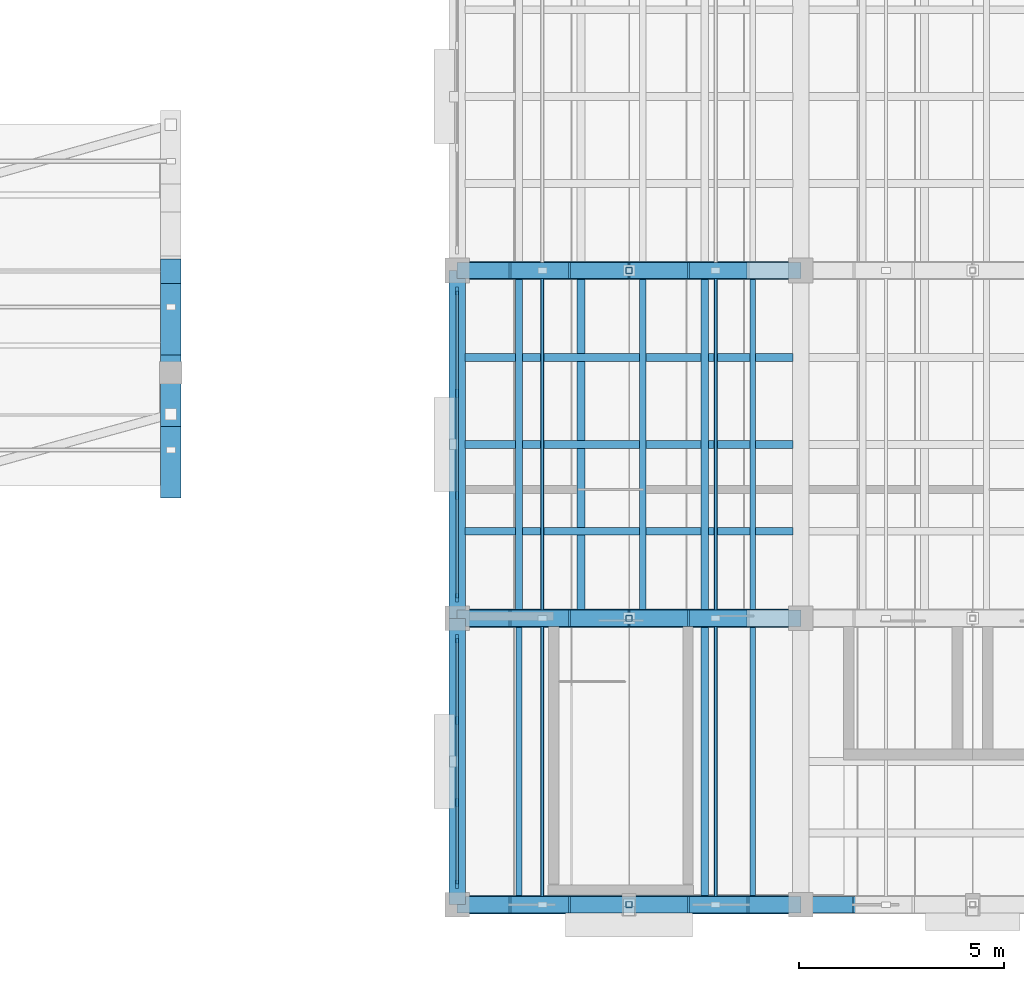
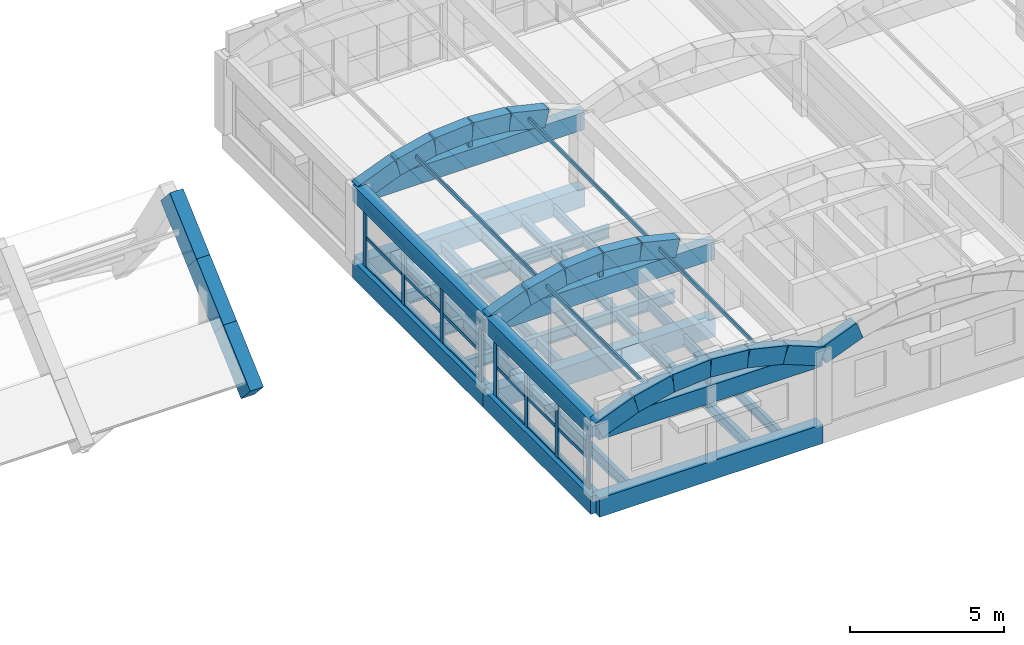
# One storey, part 8 of 40: 41 members, 21 beams, 2 elements without a shape of their own.
"""IFC4 building model written with IfcOpenShell, lengths in metres."""

from ifc_helpers import new_model, si_unit, direction, frame, origin, origin_2d, place, context, subcontext, project, spatial, rectangle, hollow_rectangle, i_section, extrude, material, layer, layer_set, material_profile, profile_set, type_object, element, aggregate, save


model = new_model("IFC4")

# Units and contexts
model_context = context("Model", 3, precision=1e-05, world=origin(), true_north=direction((0.0, 1.0)))
body_context = subcontext(model_context, "Body", "Model", "MODEL_VIEW")
ifc_project = project(units=[si_unit("LENGTHUNIT", "METRE"), si_unit("AREAUNIT", "SQUARE_METRE"), si_unit("VOLUMEUNIT", "CUBIC_METRE"), si_unit("PLANEANGLEUNIT", "RADIAN"), si_unit("MASSUNIT", "GRAM", prefix="KILO")], contexts=[model_context])

# Site, building, storey
site_placement = place(None, origin())
site = spatial("IfcSite", under=ifc_project, at=site_placement, CompositionType="ELEMENT")
building_placement = place(site_placement, origin())
building = spatial("IfcBuilding", under=site, at=building_placement, Name="Trellovar Central Fire Station", CompositionType="ELEMENT")
storey_placement = place(building_placement, frame((0.0, 0.0, 12.75)))
storey = spatial("IfcBuildingStorey", under=building, at=storey_placement, Name="L04", CompositionType="ELEMENT", Elevation=12.75)

# Beams
ifc_material_1 = material(Name="Concrete C40/50", Category="concrete")
ifc_material_profile_1 = material_profile(ifc_material_1, rectangle(XDim=0.449951171875, YDim=0.75, at=origin_2d()), Name="RC450X750")
ifc_profile_set_1 = profile_set([ifc_material_profile_1], Name="Concrete C40/50")
beam_type_1 = type_object("IfcBeamType", Name="BM-G2", PredefinedType="BEAM", material=ifc_profile_set_1)
for number, where, z_axis, x_axis, name in (
    (1, (105.5, 9.0, -0.375), (1.0, 0.0, 0.0), (0.0, 1.0, 0.0), "L04 beam G-2"),
    (2, (105.5, 16.0, -0.375), (1.0, 0.0, 0.0), (0.0, 1.0, 0.0), "L04 beam G-2"),
    (3, (105.5, 24.5, -0.375), (1.0, 0.0, 0.0), (0.0, 1.0, 0.0), "L04 beam G-2"),
):
    element("IfcBeam", number, at=place(storey_placement, frame(where, z_axis=z_axis, x_axis=x_axis)), inside=storey, type_object=beam_type_1, Name=name, PredefinedType="BEAM", context=body_context, shape_type="SweptSolid", body=[
        extrude(rectangle(XDim=0.449951171875, YDim=0.75, at=origin_2d()), origin(), (0.0, 0.0, 1.0), 8.39990234375),
    ])
ifc_material_2 = material(Name="Concrete C40/50", Category="concrete")
ifc_material_profile_2 = material_profile(ifc_material_2, rectangle(XDim=0.39990234375, YDim=0.699951171875, at=origin_2d()), Name="RC400X700")
ifc_profile_set_2 = profile_set([ifc_material_profile_2], Name="Concrete C40/50")
beam_type_2 = type_object("IfcBeamType", Name="BM-G3", PredefinedType="BEAM", material=ifc_profile_set_2)
beam_1_placement = place(storey_placement, frame((105.5, 9.0, -0.35009765625), z_axis=(0.0, 1.0, 0.0), x_axis=(-1.0, 0.0, 0.0)))
element("IfcBeam", 4, at=beam_1_placement, inside=storey, type_object=beam_type_2, Name="L04 beam G-3", PredefinedType="BEAM", context=body_context, shape_type="SweptSolid", body=[
    extrude(rectangle(XDim=0.39990234375, YDim=0.699951171875, at=origin_2d()), origin(), (0.0, 0.0, 1.0), 7.0),
])
beam_2_placement = place(storey_placement, frame((105.5, 16.0, -0.35009765625), z_axis=(0.0, 1.0, 0.0), x_axis=(-1.0, 0.0, 0.0)))
element("IfcBeam", 5, at=beam_2_placement, inside=storey, type_object=beam_type_2, Name="L04 beam G-3", PredefinedType="BEAM", context=body_context, shape_type="SweptSolid", body=[
    extrude(rectangle(XDim=0.39990234375, YDim=0.699951171875, at=origin_2d()), origin(), (0.0, 0.0, 1.0), 8.5),
])
for number, where, z_axis, x_axis, name in (
    (6, (105.5, 9.0, 2.64990234375), (1.0, 0.0, 0.0), (0.0, 1.0, 0.0), "L04 beam G-3"),
    (7, (105.5, 16.0, 2.64990234375), (1.0, 0.0, 0.0), (0.0, 1.0, 0.0), "L04 beam G-3"),
    (8, (105.5, 24.5, 2.64990234375), (1.0, 0.0, 0.0), (0.0, 1.0, 0.0), "L04 beam G-3"),
):
    element("IfcBeam", number, at=place(storey_placement, frame(where, z_axis=z_axis, x_axis=x_axis)), inside=storey, type_object=beam_type_2, Name=name, PredefinedType="BEAM", context=body_context, shape_type="SweptSolid", body=[
        extrude(rectangle(XDim=0.39990234375, YDim=0.699951171875, at=origin_2d()), origin(), (0.0, 0.0, 1.0), 8.39990234375),
    ])
ifc_material_3 = material(Name="Concrete C40/50", Category="concrete")
ifc_material_profile_3 = material_profile(ifc_material_3, rectangle(XDim=0.39990234375, YDim=0.64990234375, at=origin_2d()), Name="RC400X650")
ifc_profile_set_3 = profile_set([ifc_material_profile_3], Name="Concrete C40/50")
beam_type_3 = type_object("IfcBeamType", Name="BM-G4", PredefinedType="BEAM", material=ifc_profile_set_3)
beam_3_placement = place(storey_placement, frame((105.5, 9.0, 2.675048828125), z_axis=(0.0, 1.0, 0.0), x_axis=(-1.0, 0.0, 0.0)))
element("IfcBeam", 9, at=beam_3_placement, inside=storey, type_object=beam_type_3, Name="L04 beam G-4", PredefinedType="BEAM", context=body_context, shape_type="SweptSolid", body=[
    extrude(rectangle(XDim=0.39990234375, YDim=0.64990234375, at=origin_2d()), origin(), (0.0, 0.0, 1.0), 7.0),
])
beam_4_placement = place(storey_placement, frame((105.5, 16.0, 2.675048828125), z_axis=(0.0, 1.0, 0.0), x_axis=(-1.0, 0.0, 0.0)))
element("IfcBeam", 10, at=beam_4_placement, inside=storey, type_object=beam_type_3, Name="L04 beam G-4", PredefinedType="BEAM", context=body_context, shape_type="SweptSolid", body=[
    extrude(rectangle(XDim=0.39990234375, YDim=0.64990234375, at=origin_2d()), origin(), (0.0, 0.0, 1.0), 8.5),
])
ifc_material_4 = material(Name="Steel ASTM A992 Grade 50", Category="steel")
ifc_material_profile_4 = material_profile(ifc_material_4, i_section(OverallWidth=0.15283203125, OverallDepth=0.45458984375, WebThickness=0.008056640625, FlangeThickness=0.01318359375, FilletRadius=0.0126953125, at=origin_2d()), Name="W18X40")
ifc_profile_set_4 = profile_set([ifc_material_profile_4], Name="Steel ASTM A992 Grade 50")
beam_type_4 = type_object("IfcBeamType", Name="BM-SW10", PredefinedType="JOIST", material=ifc_profile_set_4)
beam_5_placement = place(storey_placement, frame((107.011962890625, 9.219970703125, -0.477294921875), z_axis=(0.0, 1.0, 0.0), x_axis=(-1.0, 0.0, 0.0)))
element("IfcBeam", 11, at=beam_5_placement, inside=storey, type_object=beam_type_4, Name="L04 secondary steel deck joist", PredefinedType="JOIST", context=body_context, shape_type="SweptSolid", body=[
    extrude(i_section(OverallWidth=0.15283203125, OverallDepth=0.45458984375, WebThickness=0.008056640625, FlangeThickness=0.01318359375, FilletRadius=0.0126953125, at=origin_2d()), origin(), (0.0, 0.0, 1.0), 6.56005859375),
])
beam_6_placement = place(storey_placement, frame((110.035888671875, 16.219970703125, -0.477294921875), z_axis=(0.0, 1.0, 0.0), x_axis=(-1.0, 0.0, 0.0)))
element("IfcBeam", 12, at=beam_6_placement, inside=storey, type_object=beam_type_4, Name="L04 secondary steel deck joist", PredefinedType="JOIST", context=body_context, shape_type="SweptSolid", body=[
    extrude(i_section(OverallWidth=0.15283203125, OverallDepth=0.45458984375, WebThickness=0.008056640625, FlangeThickness=0.01318359375, FilletRadius=0.0126953125, at=origin_2d()), origin(), (0.0, 0.0, 1.0), 8.06005859375),
])
ifc_material_5 = material(Name="Steel ASTM A992 Grade 50", Category="steel")
ifc_material_profile_5 = material_profile(ifc_material_5, i_section(OverallWidth=0.177490234375, OverallDepth=0.40380859375, WebThickness=0.007568359375, FlangeThickness=0.010986328125, FilletRadius=0.011474609375, at=origin_2d()), Name="W16X36")
ifc_profile_set_5 = profile_set([ifc_material_profile_5], Name="Steel ASTM A992 Grade 50")
beam_type_5 = type_object("IfcBeamType", Name="BM-SW11", PredefinedType="JOIST", material=ifc_profile_set_5)
beam_7_placement = place(storey_placement, frame((111.548095703125, 9.219970703125, -0.451904296875), z_axis=(0.0, 1.0, 0.0), x_axis=(-1.0, 0.0, 0.0)))
element("IfcBeam", 13, at=beam_7_placement, inside=storey, type_object=beam_type_5, Name="L04 secondary steel deck joist", PredefinedType="JOIST", context=body_context, shape_type="SweptSolid", body=[
    extrude(i_section(OverallWidth=0.177490234375, OverallDepth=0.40380859375, WebThickness=0.007568359375, FlangeThickness=0.010986328125, FilletRadius=0.011474609375, at=origin_2d()), origin(), (0.0, 0.0, 1.0), 6.56005859375),
])
beam_8_placement = place(storey_placement, frame((111.548095703125, 16.219970703125, -0.451904296875), z_axis=(0.0, 1.0, 0.0), x_axis=(-1.0, 0.0, 0.0)))
element("IfcBeam", 14, at=beam_8_placement, inside=storey, type_object=beam_type_5, Name="L04 secondary steel deck joist", PredefinedType="JOIST", context=body_context, shape_type="SweptSolid", body=[
    extrude(i_section(OverallWidth=0.177490234375, OverallDepth=0.40380859375, WebThickness=0.007568359375, FlangeThickness=0.010986328125, FilletRadius=0.011474609375, at=origin_2d()), origin(), (0.0, 0.0, 1.0), 8.06005859375),
])
ifc_material_6 = material(Name="Steel ASTM A992 Grade 50", Category="steel")
ifc_material_profile_6 = material_profile(ifc_material_6, i_section(OverallWidth=0.140380859375, OverallDepth=0.4033203125, WebThickness=0.007080078125, FlangeThickness=0.01123046875, FilletRadius=0.011474609375, at=origin_2d()), Name="W16X31")
ifc_profile_set_6 = profile_set([ifc_material_profile_6], Name="Steel ASTM A992 Grade 50")
beam_type_6 = type_object("IfcBeamType", Name="BM-SW12", PredefinedType="JOIST", material=ifc_profile_set_6)
beam_9_placement = place(storey_placement, frame((112.72412109375, 9.219970703125, -0.45166015625), z_axis=(0.0, 1.0, 0.0), x_axis=(-1.0, 0.0, 0.0)))
element("IfcBeam", 15, at=beam_9_placement, inside=storey, type_object=beam_type_6, Name="L04 secondary steel deck joist", PredefinedType="JOIST", context=body_context, shape_type="SweptSolid", body=[
    extrude(i_section(OverallWidth=0.140380859375, OverallDepth=0.4033203125, WebThickness=0.007080078125, FlangeThickness=0.01123046875, FilletRadius=0.011474609375, at=origin_2d()), origin(), (0.0, 0.0, 1.0), 6.56005859375),
])
beam_10_placement = place(storey_placement, frame((112.72412109375, 16.219970703125, -0.45166015625), z_axis=(0.0, 1.0, 0.0), x_axis=(-1.0, 0.0, 0.0)))
element("IfcBeam", 16, at=beam_10_placement, inside=storey, type_object=beam_type_6, Name="L04 secondary steel deck joist", PredefinedType="JOIST", context=body_context, shape_type="SweptSolid", body=[
    extrude(i_section(OverallWidth=0.140380859375, OverallDepth=0.4033203125, WebThickness=0.007080078125, FlangeThickness=0.01123046875, FilletRadius=0.011474609375, at=origin_2d()), origin(), (0.0, 0.0, 1.0), 8.06005859375),
])
ifc_material_7 = material(Name="Steel ASTM A992 Grade 50", Category="steel")
ifc_material_profile_7 = material_profile(ifc_material_7, i_section(OverallWidth=0.166015625, OverallDepth=0.529052734375, WebThickness=0.009765625, FlangeThickness=0.013671875, FilletRadius=0.013916015625, at=origin_2d()), Name="W21X50")
ifc_profile_set_7 = profile_set([ifc_material_profile_7], Name="Steel ASTM A992 Grade 50")
beam_type_7 = type_object("IfcBeamType", Name="BM-SW8", PredefinedType="JOIST", material=ifc_profile_set_7)
beam_11_placement = place(storey_placement, frame((107.011962890625, 16.219970703125, -0.514404296875), z_axis=(0.0, 1.0, 0.0), x_axis=(-1.0, 0.0, 0.0)))
element("IfcBeam", 17, at=beam_11_placement, inside=storey, type_object=beam_type_7, Name="L04 secondary steel deck joist", PredefinedType="JOIST", context=body_context, shape_type="SweptSolid", body=[
    extrude(i_section(OverallWidth=0.166015625, OverallDepth=0.529052734375, WebThickness=0.009765625, FlangeThickness=0.013671875, FilletRadius=0.013916015625, at=origin_2d()), origin(), (0.0, 0.0, 1.0), 8.06005859375),
])
ifc_material_8 = material(Name="Steel ASTM A992 Grade 50", Category="steel")
ifc_material_profile_8 = material_profile(ifc_material_8, i_section(OverallWidth=0.1904296875, OverallDepth=0.457275390625, WebThickness=0.009033203125, FlangeThickness=0.014404296875, FilletRadius=0.0126953125, at=origin_2d()), Name="W18X50")
ifc_profile_set_8 = profile_set([ifc_material_profile_8], Name="Steel ASTM A992 Grade 50")
beam_type_8 = type_object("IfcBeamType", Name="BM-SW9", PredefinedType="JOIST", material=ifc_profile_set_8)
for number, where, z_axis, x_axis, name in (
    (18, (105.695068359375, 18.125, -0.478515625), (1.0, 0.0, 0.0), (0.0, 1.0, 0.0), "L04 beam SB-9"),
    (19, (105.695068359375, 20.25, -0.478515625), (1.0, 0.0, 0.0), (0.0, 1.0, 0.0), "L04 beam SB-9"),
    (20, (105.695068359375, 22.375, -0.478515625), (1.0, 0.0, 0.0), (0.0, 1.0, 0.0), "L04 beam SB-9"),
):
    element("IfcBeam", number, at=place(storey_placement, frame(where, z_axis=z_axis, x_axis=x_axis)), inside=storey, type_object=beam_type_8, Name=name, PredefinedType="JOIST", context=body_context, shape_type="SweptSolid", body=[
        extrude(i_section(OverallWidth=0.1904296875, OverallDepth=0.457275390625, WebThickness=0.009033203125, FlangeThickness=0.014404296875, FilletRadius=0.0126953125, at=origin_2d()), origin(), (0.0, 0.0, 1.0), 8.010009765625),
    ])
beam_12_placement = place(storey_placement, frame((108.52392578125, 16.219970703125, -0.478515625), z_axis=(0.0, 1.0, 0.0), x_axis=(-1.0, 0.0, 0.0)))
element("IfcBeam", 21, at=beam_12_placement, inside=storey, type_object=beam_type_8, Name="L04 secondary steel deck joist", PredefinedType="JOIST", context=body_context, shape_type="SweptSolid", body=[
    extrude(i_section(OverallWidth=0.1904296875, OverallDepth=0.457275390625, WebThickness=0.009033203125, FlangeThickness=0.014404296875, FilletRadius=0.0126953125, at=origin_2d()), origin(), (0.0, 0.0, 1.0), 8.06005859375),
])

# Curtain wall, members
ifc_material_9 = material(Name="Thermally broken bronze anodized aluminum", Category="aluminium")
ifc_layer = layer(ifc_material_9, 0.159912109375)
ifc_layer_set = layer_set([ifc_layer], Name="Thermally broken bronze anodized aluminum")
curtain_wall_type = type_object("IfcCurtainWallType", Name="CW-12", PredefinedType="NOTDEFINED", material=ifc_layer_set)
curtain_wall_1_placement = place(storey_placement, origin())
curtain_wall_1 = element("IfcCurtainWall", 22, at=curtain_wall_1_placement, inside=storey, type_object=curtain_wall_type, Name="V5 L04 west courtyard curtain wall", PredefinedType="NOTDEFINED")
ifc_material_10 = material(Name="Thermally broken bronze anodized aluminum", Category="aluminium")
ifc_material_profile_9 = material_profile(ifc_material_10, rectangle(XDim=0.074951171875, YDim=0.199951171875, at=origin_2d()), Name="ALU75X200")
ifc_profile_set_9 = profile_set([ifc_material_profile_9], Name="Thermally broken bronze anodized aluminum")
member_type_1 = type_object("IfcMemberType", Name="CWM-1", PredefinedType="MULLION", material=ifc_profile_set_9)
member_1_placement = place(storey_placement, frame((105.5, 15.5, 0.0), z_axis=(0.0, 0.0, 1.0), x_axis=(1.0, 0.0, 0.0)))
member_1 = element("IfcMember", 23, at=member_1_placement, type_object=member_type_1, Name="CW3-L04-0099 mullion 1", PredefinedType="MULLION", context=body_context, shape_type="SweptSolid", body=[
    extrude(rectangle(XDim=0.074951171875, YDim=0.199951171875, at=origin_2d()), origin(), (0.0, 0.0, 1.0), 2.340087890625),
])
member_2_placement = place(storey_placement, frame((105.5, 13.5, 0.0), z_axis=(0.0, 0.0, 1.0), x_axis=(1.0, 0.0, 0.0)))
member_2 = element("IfcMember", 24, at=member_2_placement, type_object=member_type_1, Name="CW3-L04-0099 mullion 2", PredefinedType="MULLION", context=body_context, shape_type="SweptSolid", body=[
    extrude(rectangle(XDim=0.074951171875, YDim=0.199951171875, at=origin_2d()), origin(), (0.0, 0.0, 1.0), 2.340087890625),
])
member_3_placement = place(storey_placement, frame((105.5, 11.5, 0.0), z_axis=(0.0, 0.0, 1.0), x_axis=(1.0, 0.0, 0.0)))
member_3 = element("IfcMember", 25, at=member_3_placement, type_object=member_type_1, Name="CW3-L04-0099 mullion 3", PredefinedType="MULLION", context=body_context, shape_type="SweptSolid", body=[
    extrude(rectangle(XDim=0.074951171875, YDim=0.199951171875, at=origin_2d()), origin(), (0.0, 0.0, 1.0), 2.340087890625),
])
member_4_placement = place(storey_placement, frame((105.5, 9.5, 0.0), z_axis=(0.0, 0.0, 1.0), x_axis=(1.0, 0.0, 0.0)))
member_4 = element("IfcMember", 26, at=member_4_placement, type_object=member_type_1, Name="CW3-L04-0099 mullion 4", PredefinedType="MULLION", context=body_context, shape_type="SweptSolid", body=[
    extrude(rectangle(XDim=0.074951171875, YDim=0.199951171875, at=origin_2d()), origin(), (0.0, 0.0, 1.0), 2.340087890625),
])

curtain_wall_2_placement = place(storey_placement, origin())
curtain_wall_2 = element("IfcCurtainWall", 27, at=curtain_wall_2_placement, inside=storey, type_object=curtain_wall_type, Name="V5 L04 west courtyard curtain wall", PredefinedType="NOTDEFINED")
member_5_placement = place(storey_placement, frame((105.5, 24.0, 0.0), z_axis=(0.0, 0.0, 1.0), x_axis=(1.0, 0.0, 0.0)))
member_5 = element("IfcMember", 28, at=member_5_placement, type_object=member_type_1, Name="CW3-L04-0100 mullion 1", PredefinedType="MULLION", context=body_context, shape_type="SweptSolid", body=[
    extrude(rectangle(XDim=0.074951171875, YDim=0.199951171875, at=origin_2d()), origin(), (0.0, 0.0, 1.0), 2.340087890625),
])
member_6_placement = place(storey_placement, frame((105.5, 21.5, 0.0), z_axis=(0.0, 0.0, 1.0), x_axis=(1.0, 0.0, 0.0)))
member_6 = element("IfcMember", 29, at=member_6_placement, type_object=member_type_1, Name="CW3-L04-0100 mullion 2", PredefinedType="MULLION", context=body_context, shape_type="SweptSolid", body=[
    extrude(rectangle(XDim=0.074951171875, YDim=0.199951171875, at=origin_2d()), origin(), (0.0, 0.0, 1.0), 2.340087890625),
])
member_7_placement = place(storey_placement, frame((105.5, 19.0, 0.0), z_axis=(0.0, 0.0, 1.0), x_axis=(1.0, 0.0, 0.0)))
member_7 = element("IfcMember", 30, at=member_7_placement, type_object=member_type_1, Name="CW3-L04-0100 mullion 3", PredefinedType="MULLION", context=body_context, shape_type="SweptSolid", body=[
    extrude(rectangle(XDim=0.074951171875, YDim=0.199951171875, at=origin_2d()), origin(), (0.0, 0.0, 1.0), 2.340087890625),
])
member_8_placement = place(storey_placement, frame((105.5, 16.5, 0.0), z_axis=(0.0, 0.0, 1.0), x_axis=(1.0, 0.0, 0.0)))
member_8 = element("IfcMember", 31, at=member_8_placement, type_object=member_type_1, Name="CW3-L04-0100 mullion 4", PredefinedType="MULLION", context=body_context, shape_type="SweptSolid", body=[
    extrude(rectangle(XDim=0.074951171875, YDim=0.199951171875, at=origin_2d()), origin(), (0.0, 0.0, 1.0), 2.340087890625),
])

# Member
ifc_material_11 = material(Name="Thermally broken bronze anodized aluminum", Category="aluminium")
ifc_material_profile_10 = material_profile(ifc_material_11, rectangle(XDim=0.06005859375, YDim=0.139892578125, at=origin_2d()), Name="ALU60X140")
ifc_profile_set_10 = profile_set([ifc_material_profile_10], Name="Thermally broken bronze anodized aluminum")
member_type_2 = type_object("IfcMemberType", Name="CWT-1", PredefinedType="USERDEFINED", material=ifc_profile_set_10)
member_9_placement = place(storey_placement, frame((105.5, 15.5, 0.0), z_axis=(0.0, -1.0, 0.0), x_axis=(1.0, 0.0, 0.0)))
member_9 = element("IfcMember", 32, at=member_9_placement, type_object=member_type_2, Name="CW3-L04-0099 transom 1", ObjectType="TRANSOM", PredefinedType="USERDEFINED", context=body_context, shape_type="SweptSolid", body=[
    extrude(rectangle(XDim=0.06005859375, YDim=0.139892578125, at=origin_2d()), origin(), (0.0, 0.0, 1.0), 6.0),
])

member_10_placement = place(storey_placement, frame((105.5, 15.5, 1.169921875), z_axis=(0.0, -1.0, 0.0), x_axis=(1.0, 0.0, 0.0)))
member_10 = element("IfcMember", 33, at=member_10_placement, type_object=member_type_2, Name="CW3-L04-0099 transom 2", ObjectType="TRANSOM", PredefinedType="USERDEFINED", context=body_context, shape_type="SweptSolid", body=[
    extrude(rectangle(XDim=0.06005859375, YDim=0.139892578125, at=origin_2d()), origin(), (0.0, 0.0, 1.0), 6.0),
])

member_11_placement = place(storey_placement, frame((105.5, 15.5, 2.340087890625), z_axis=(0.0, -1.0, 0.0), x_axis=(1.0, 0.0, 0.0)))
member_11 = element("IfcMember", 34, at=member_11_placement, type_object=member_type_2, Name="CW3-L04-0099 transom 3", ObjectType="TRANSOM", PredefinedType="USERDEFINED", context=body_context, shape_type="SweptSolid", body=[
    extrude(rectangle(XDim=0.06005859375, YDim=0.139892578125, at=origin_2d()), origin(), (0.0, 0.0, 1.0), 6.0),
])

aggregate(curtain_wall_1, [member_1, member_2, member_3, member_4, member_9, member_10, member_11])

member_12_placement = place(storey_placement, frame((105.5, 24.0, 0.0), z_axis=(0.0, -1.0, 0.0), x_axis=(1.0, 0.0, 0.0)))
member_12 = element("IfcMember", 35, at=member_12_placement, type_object=member_type_2, Name="CW3-L04-0100 transom 1", ObjectType="TRANSOM", PredefinedType="USERDEFINED", context=body_context, shape_type="SweptSolid", body=[
    extrude(rectangle(XDim=0.06005859375, YDim=0.139892578125, at=origin_2d()), origin(), (0.0, 0.0, 1.0), 7.5),
])

member_13_placement = place(storey_placement, frame((105.5, 24.0, 1.169921875), z_axis=(0.0, -1.0, 0.0), x_axis=(1.0, 0.0, 0.0)))
member_13 = element("IfcMember", 36, at=member_13_placement, type_object=member_type_2, Name="CW3-L04-0100 transom 2", ObjectType="TRANSOM", PredefinedType="USERDEFINED", context=body_context, shape_type="SweptSolid", body=[
    extrude(rectangle(XDim=0.06005859375, YDim=0.139892578125, at=origin_2d()), origin(), (0.0, 0.0, 1.0), 7.5),
])

member_14_placement = place(storey_placement, frame((105.5, 24.0, 2.340087890625), z_axis=(0.0, -1.0, 0.0), x_axis=(1.0, 0.0, 0.0)))
member_14 = element("IfcMember", 37, at=member_14_placement, type_object=member_type_2, Name="CW3-L04-0100 transom 3", ObjectType="TRANSOM", PredefinedType="USERDEFINED", context=body_context, shape_type="SweptSolid", body=[
    extrude(rectangle(XDim=0.06005859375, YDim=0.139892578125, at=origin_2d()), origin(), (0.0, 0.0, 1.0), 7.5),
])

aggregate(curtain_wall_2, [member_5, member_6, member_7, member_8, member_12, member_13, member_14])

# Members
ifc_material_12 = material(Name="Concrete C40/50", Category="concrete")
ifc_material_profile_11 = material_profile(ifc_material_12, rectangle(XDim=0.5, YDim=0.89990234375, at=origin_2d()), Name="RC500X900")
ifc_profile_set_11 = profile_set([ifc_material_profile_11], Name="Concrete C40/50")
member_type_3 = type_object("IfcMemberType", Name="MEM-AR1", PredefinedType="CHORD", material=ifc_profile_set_11)
member_15_placement = place(storey_placement, frame((98.5, 19.239990234375, 0.300048828125), z_axis=(0.0, 0.744457083913, 0.667670315509), x_axis=(-1.0, 0.0, 0.0)))
element("IfcMember", 38, at=member_15_placement, inside=storey, type_object=member_type_3, Name="Parabolic arch rib AR-11 chord 04", PredefinedType="CHORD", context=body_context, shape_type="SweptSolid", body=[
    extrude(rectangle(XDim=0.5, YDim=0.89990234375, at=origin_2d()), origin(), (0.0, 0.0, 1.0), 2.346435546875),
])
for number, where, z_axis, x_axis, name in (
    (39, (98.5, 20.98681640625, 1.86669921875), (0.0, 0.744410696022, 0.667722034718), (-1.0, 0.0, 0.0), "Parabolic arch rib AR-11 chord 05"),
    (40, (98.5, 22.7333984375, 3.433349609375), (0.0, 0.744410696022, 0.667722034718), (-1.0, 0.0, 0.0), "Parabolic arch rib AR-11 chord 06"),
):
    element("IfcMember", number, at=place(storey_placement, frame(where, z_axis=z_axis, x_axis=x_axis)), inside=storey, type_object=member_type_3, Name=name, PredefinedType="CHORD", context=body_context, shape_type="SweptSolid", body=[
        extrude(rectangle(XDim=0.5, YDim=0.89990234375, at=origin_2d()), origin(), (0.0, 0.0, 1.0), 2.34619140625),
    ])
ifc_material_13 = material(Name="Concrete C40/50", Category="concrete")
ifc_material_profile_12 = material_profile(ifc_material_13, rectangle(XDim=0.39990234375, YDim=0.699951171875, at=origin_2d()), Name="RC400X700")
ifc_profile_set_12 = profile_set([ifc_material_profile_12], Name="Concrete C40/50")
member_type_4 = type_object("IfcMemberType", Name="MEM-LR1", PredefinedType="CHORD", material=ifc_profile_set_12)
member_16_placement = place(storey_placement, frame((105.5, 9.0, 2.679931640625), z_axis=(0.929457187308, 0.0, 0.368929989242), x_axis=(0.0, 1.0, 0.0)))
element("IfcMember", 41, at=member_16_placement, inside=storey, type_object=member_type_4, Name="V5 Catalan vault rib 1 chord 1", PredefinedType="CHORD", context=body_context, shape_type="SweptSolid", body=[
    extrude(rectangle(XDim=0.39990234375, YDim=0.699951171875, at=origin_2d()), origin(), (0.0, 0.0, 1.0), 1.506103515625),
])
member_17_placement = place(storey_placement, frame((106.89990234375, 9.0, 3.235595703125), z_axis=(0.972824412258, 0.0, 0.231544084173), x_axis=(0.0, 1.0, 0.0)))
element("IfcMember", 42, at=member_17_placement, inside=storey, type_object=member_type_4, Name="V5 Catalan vault rib 1 chord 2", PredefinedType="CHORD", context=body_context, shape_type="SweptSolid", body=[
    extrude(rectangle(XDim=0.39990234375, YDim=0.699951171875, at=origin_2d()), origin(), (0.0, 0.0, 1.0), 1.439208984375),
])
member_18_placement = place(storey_placement, frame((108.300048828125, 9.0, 3.56884765625), z_axis=(0.996866480688, 0.0, 0.079102589591), x_axis=(0.0, 1.0, 0.0)))
element("IfcMember", 43, at=member_18_placement, inside=storey, type_object=member_type_4, Name="V5 Catalan vault rib 1 chord 3", PredefinedType="CHORD", context=body_context, shape_type="SweptSolid", body=[
    extrude(rectangle(XDim=0.39990234375, YDim=0.699951171875, at=origin_2d()), origin(), (0.0, 0.0, 1.0), 1.404296875),
])
member_19_placement = place(storey_placement, frame((109.699951171875, 9.0, 3.679931640625), z_axis=(0.996867568235, 0.0, -0.07908888292), x_axis=(0.0, 1.0, 0.0)))
element("IfcMember", 44, at=member_19_placement, inside=storey, type_object=member_type_4, Name="V5 Catalan vault rib 1 chord 4", PredefinedType="CHORD", context=body_context, shape_type="SweptSolid", body=[
    extrude(rectangle(XDim=0.39990234375, YDim=0.699951171875, at=origin_2d()), origin(), (0.0, 0.0, 1.0), 1.404541015625),
])
member_20_placement = place(storey_placement, frame((111.10009765625, 9.0, 3.56884765625), z_axis=(0.972815315724, 0.0, -0.23158229961), x_axis=(0.0, 1.0, 0.0)))
element("IfcMember", 45, at=member_20_placement, inside=storey, type_object=member_type_4, Name="V5 Catalan vault rib 1 chord 5", PredefinedType="CHORD", context=body_context, shape_type="SweptSolid", body=[
    extrude(rectangle(XDim=0.39990234375, YDim=0.699951171875, at=origin_2d()), origin(), (0.0, 0.0, 1.0), 1.43896484375),
])
for number, where, z_axis, x_axis, name in (
    (46, (112.5, 9.0, 3.235595703125), (0.929457187308, 0.0, -0.368929989242), (0.0, 1.0, 0.0), "V5 Catalan vault rib 1 chord 6"),
    (47, (105.5, 16.0, 2.679931640625), (0.929457187308, 0.0, 0.368929989242), (0.0, 1.0, 0.0), "V5 Catalan vault rib 1 chord 1"),
):
    element("IfcMember", number, at=place(storey_placement, frame(where, z_axis=z_axis, x_axis=x_axis)), inside=storey, type_object=member_type_4, Name=name, PredefinedType="CHORD", context=body_context, shape_type="SweptSolid", body=[
        extrude(rectangle(XDim=0.39990234375, YDim=0.699951171875, at=origin_2d()), origin(), (0.0, 0.0, 1.0), 1.506103515625),
    ])
member_21_placement = place(storey_placement, frame((106.89990234375, 16.0, 3.235595703125), z_axis=(0.972824412258, 0.0, 0.231544084173), x_axis=(0.0, 1.0, 0.0)))
element("IfcMember", 48, at=member_21_placement, inside=storey, type_object=member_type_4, Name="V5 Catalan vault rib 1 chord 2", PredefinedType="CHORD", context=body_context, shape_type="SweptSolid", body=[
    extrude(rectangle(XDim=0.39990234375, YDim=0.699951171875, at=origin_2d()), origin(), (0.0, 0.0, 1.0), 1.439208984375),
])
member_22_placement = place(storey_placement, frame((108.300048828125, 16.0, 3.56884765625), z_axis=(0.996866480688, 0.0, 0.079102589591), x_axis=(0.0, 1.0, 0.0)))
element("IfcMember", 49, at=member_22_placement, inside=storey, type_object=member_type_4, Name="V5 Catalan vault rib 1 chord 3", PredefinedType="CHORD", context=body_context, shape_type="SweptSolid", body=[
    extrude(rectangle(XDim=0.39990234375, YDim=0.699951171875, at=origin_2d()), origin(), (0.0, 0.0, 1.0), 1.404296875),
])
member_23_placement = place(storey_placement, frame((109.699951171875, 16.0, 3.679931640625), z_axis=(0.996867568235, 0.0, -0.07908888292), x_axis=(0.0, 1.0, 0.0)))
element("IfcMember", 50, at=member_23_placement, inside=storey, type_object=member_type_4, Name="V5 Catalan vault rib 1 chord 4", PredefinedType="CHORD", context=body_context, shape_type="SweptSolid", body=[
    extrude(rectangle(XDim=0.39990234375, YDim=0.699951171875, at=origin_2d()), origin(), (0.0, 0.0, 1.0), 1.404541015625),
])
member_24_placement = place(storey_placement, frame((111.10009765625, 16.0, 3.56884765625), z_axis=(0.972815315724, 0.0, -0.23158229961), x_axis=(0.0, 1.0, 0.0)))
element("IfcMember", 51, at=member_24_placement, inside=storey, type_object=member_type_4, Name="V5 Catalan vault rib 1 chord 5", PredefinedType="CHORD", context=body_context, shape_type="SweptSolid", body=[
    extrude(rectangle(XDim=0.39990234375, YDim=0.699951171875, at=origin_2d()), origin(), (0.0, 0.0, 1.0), 1.43896484375),
])
member_25_placement = place(storey_placement, frame((105.5, 24.5, 2.679931640625), z_axis=(0.929457187308, 0.0, 0.368929989242), x_axis=(0.0, 1.0, 0.0)))
element("IfcMember", 52, at=member_25_placement, inside=storey, type_object=member_type_4, Name="V5 Catalan vault rib 1 chord 1", PredefinedType="CHORD", context=body_context, shape_type="SweptSolid", body=[
    extrude(rectangle(XDim=0.39990234375, YDim=0.699951171875, at=origin_2d()), origin(), (0.0, 0.0, 1.0), 1.506103515625),
])
member_26_placement = place(storey_placement, frame((106.89990234375, 24.5, 3.235595703125), z_axis=(0.972824412258, 0.0, 0.231544084173), x_axis=(0.0, 1.0, 0.0)))
element("IfcMember", 53, at=member_26_placement, inside=storey, type_object=member_type_4, Name="V5 Catalan vault rib 1 chord 2", PredefinedType="CHORD", context=body_context, shape_type="SweptSolid", body=[
    extrude(rectangle(XDim=0.39990234375, YDim=0.699951171875, at=origin_2d()), origin(), (0.0, 0.0, 1.0), 1.439208984375),
])
member_27_placement = place(storey_placement, frame((108.300048828125, 24.5, 3.56884765625), z_axis=(0.996866480688, 0.0, 0.079102589591), x_axis=(0.0, 1.0, 0.0)))
element("IfcMember", 54, at=member_27_placement, inside=storey, type_object=member_type_4, Name="V5 Catalan vault rib 1 chord 3", PredefinedType="CHORD", context=body_context, shape_type="SweptSolid", body=[
    extrude(rectangle(XDim=0.39990234375, YDim=0.699951171875, at=origin_2d()), origin(), (0.0, 0.0, 1.0), 1.404296875),
])
member_28_placement = place(storey_placement, frame((109.699951171875, 24.5, 3.679931640625), z_axis=(0.996867568235, 0.0, -0.07908888292), x_axis=(0.0, 1.0, 0.0)))
element("IfcMember", 55, at=member_28_placement, inside=storey, type_object=member_type_4, Name="V5 Catalan vault rib 1 chord 4", PredefinedType="CHORD", context=body_context, shape_type="SweptSolid", body=[
    extrude(rectangle(XDim=0.39990234375, YDim=0.699951171875, at=origin_2d()), origin(), (0.0, 0.0, 1.0), 1.404541015625),
])
member_29_placement = place(storey_placement, frame((111.10009765625, 24.5, 3.56884765625), z_axis=(0.972815315724, 0.0, -0.23158229961), x_axis=(0.0, 1.0, 0.0)))
element("IfcMember", 56, at=member_29_placement, inside=storey, type_object=member_type_4, Name="V5 Catalan vault rib 1 chord 5", PredefinedType="CHORD", context=body_context, shape_type="SweptSolid", body=[
    extrude(rectangle(XDim=0.39990234375, YDim=0.699951171875, at=origin_2d()), origin(), (0.0, 0.0, 1.0), 1.43896484375),
])
member_30_placement = place(storey_placement, frame((113.89990234375, 9.0, 2.679931640625), z_axis=(0.929479245072, 0.0, 0.368874413563), x_axis=(0.0, 1.0, 0.0)))
element("IfcMember", 57, at=member_30_placement, inside=storey, type_object=member_type_4, Name="V5 Catalan vault rib 2 chord 1", PredefinedType="CHORD", context=body_context, shape_type="SweptSolid", body=[
    extrude(rectangle(XDim=0.39990234375, YDim=0.699951171875, at=origin_2d()), origin(), (0.0, 0.0, 1.0), 1.50634765625),
])
ifc_material_14 = material(Name="Steel ASTM A500 Grade C", Category="steel")
ifc_material_profile_13 = material_profile(ifc_material_14, hollow_rectangle(XDim=0.076171875, YDim=0.15234375, WallThickness=0.005859375, InnerFilletRadius=0.005859375, OuterFilletRadius=0.01171875, at=origin_2d()), Name="HSS6X3X1/4")
ifc_profile_set_13 = profile_set([ifc_material_profile_13], Name="Steel ASTM A500 Grade C")
member_type_5 = type_object("IfcMemberType", Name="MEM-PU2", PredefinedType="PURLIN", material=ifc_profile_set_13)
member_31_placement = place(storey_placement, frame((107.580322265625, 9.0, 3.4375), z_axis=(0.0, 1.0, 0.0), x_axis=(-1.0, 0.0, 0.0)))
element("IfcMember", 58, at=member_31_placement, inside=storey, type_object=member_type_5, Name="V5 vault purlin 1-2", PredefinedType="PURLIN", context=body_context, shape_type="SweptSolid", body=[
    extrude(hollow_rectangle(XDim=0.076171875, YDim=0.15234375, WallThickness=0.005859375, InnerFilletRadius=0.005859375, OuterFilletRadius=0.01171875, at=origin_2d()), origin(), (0.0, 0.0, 1.0), 7.0),
])
member_32_placement = place(storey_placement, frame((107.580322265625, 16.0, 3.4375), z_axis=(0.0, 1.0, 0.0), x_axis=(-1.0, 0.0, 0.0)))
element("IfcMember", 59, at=member_32_placement, inside=storey, type_object=member_type_5, Name="V5 vault purlin 1-2", PredefinedType="PURLIN", context=body_context, shape_type="SweptSolid", body=[
    extrude(hollow_rectangle(XDim=0.076171875, YDim=0.15234375, WallThickness=0.005859375, InnerFilletRadius=0.005859375, OuterFilletRadius=0.01171875, at=origin_2d()), origin(), (0.0, 0.0, 1.0), 8.5),
])
member_33_placement = place(storey_placement, frame((111.819580078125, 9.0, 3.4375), z_axis=(0.0, 1.0, 0.0), x_axis=(-1.0, 0.0, 0.0)))
element("IfcMember", 60, at=member_33_placement, inside=storey, type_object=member_type_5, Name="V5 vault purlin 1-5", PredefinedType="PURLIN", context=body_context, shape_type="SweptSolid", body=[
    extrude(hollow_rectangle(XDim=0.076171875, YDim=0.15234375, WallThickness=0.005859375, InnerFilletRadius=0.005859375, OuterFilletRadius=0.01171875, at=origin_2d()), origin(), (0.0, 0.0, 1.0), 7.0),
])
member_34_placement = place(storey_placement, frame((111.819580078125, 16.0, 3.4375), z_axis=(0.0, 1.0, 0.0), x_axis=(-1.0, 0.0, 0.0)))
element("IfcMember", 61, at=member_34_placement, inside=storey, type_object=member_type_5, Name="V5 vault purlin 1-5", PredefinedType="PURLIN", context=body_context, shape_type="SweptSolid", body=[
    extrude(hollow_rectangle(XDim=0.076171875, YDim=0.15234375, WallThickness=0.005859375, InnerFilletRadius=0.005859375, OuterFilletRadius=0.01171875, at=origin_2d()), origin(), (0.0, 0.0, 1.0), 8.5),
])
ifc_material_15 = material(Name="Steel ASTM A500 Grade C", Category="steel")
ifc_material_profile_14 = material_profile(ifc_material_15, hollow_rectangle(XDim=0.15234375, YDim=0.15234375, WallThickness=0.0087890625, InnerFilletRadius=0.0087890625, OuterFilletRadius=0.017822265625, at=origin_2d()), Name="HSS6X6X3/8")
ifc_profile_set_14 = profile_set([ifc_material_profile_14], Name="Steel ASTM A500 Grade C")
member_type_6 = type_object("IfcMemberType", Name="MEM-ST1", PredefinedType="STRUT", material=ifc_profile_set_14)
for number, where, z_axis, x_axis, name in (
    (62, (109.699951171875, 9.0, 2.699951171875), (0.0, 0.0, 1.0), (1.0, 0.0, 0.0), "V5 Catalan vault apex post 1"),
    (63, (109.699951171875, 16.0, 2.699951171875), (0.0, 0.0, 1.0), (1.0, 0.0, 0.0), "V5 Catalan vault apex post 1"),
    (64, (109.699951171875, 24.5, 2.699951171875), (0.0, 0.0, 1.0), (1.0, 0.0, 0.0), "V5 Catalan vault apex post 1"),
):
    element("IfcMember", number, at=place(storey_placement, frame(where, z_axis=z_axis, x_axis=x_axis)), inside=storey, type_object=member_type_6, Name=name, PredefinedType="STRUT", context=body_context, shape_type="SweptSolid", body=[
        extrude(hollow_rectangle(XDim=0.15234375, YDim=0.15234375, WallThickness=0.0087890625, InnerFilletRadius=0.0087890625, OuterFilletRadius=0.017822265625, at=origin_2d()), origin(), (0.0, 0.0, 1.0), 0.97998046875),
    ])

save(model, "model.ifc")
